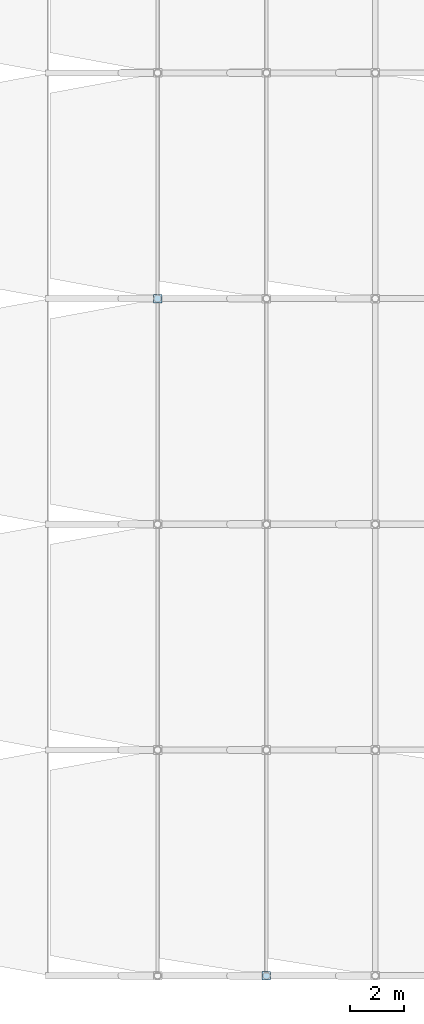
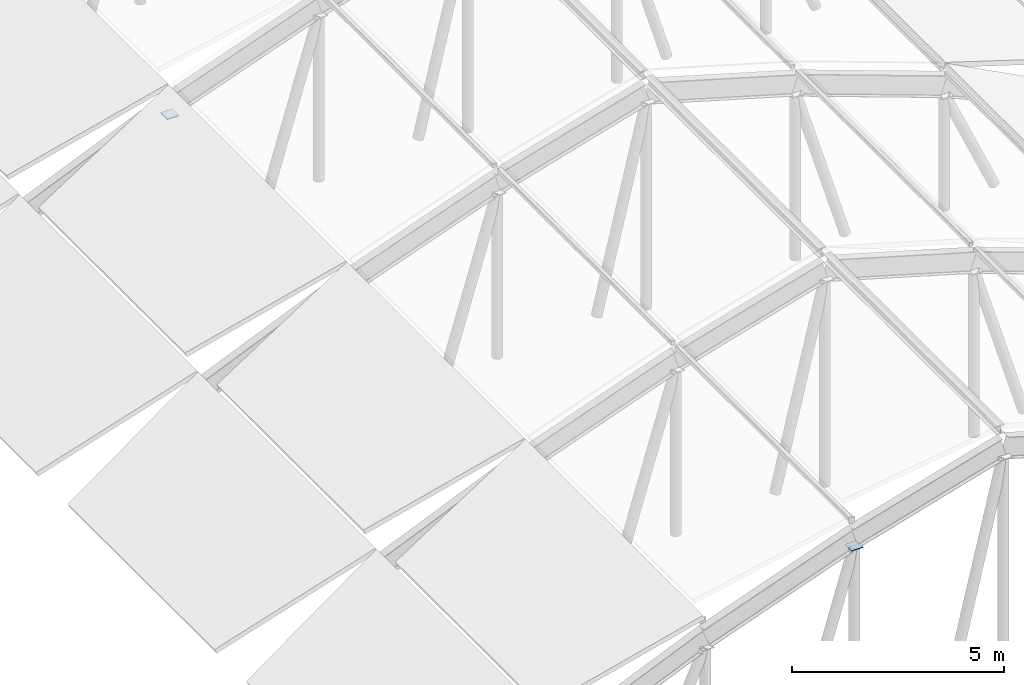
# One storey, part 15 of 22: 2 plates.
"""IFC4 building model written with IfcOpenShell, lengths in metres."""

from ifc_helpers import new_model, si_unit, direction, frame, origin, origin_2d, place, context, subcontext, project, spatial, rectangle, extrude, material, layer, layer_set, type_object, element, save


model = new_model("IFC4")

# Units and contexts
model_context = context("Model", 3, precision=1e-05, world=origin(), true_north=direction((0.0, 1.0)))
body_context = subcontext(model_context, "Body", "Model", "MODEL_VIEW")
ifc_project = project(units=[si_unit("LENGTHUNIT", "METRE"), si_unit("AREAUNIT", "SQUARE_METRE"), si_unit("VOLUMEUNIT", "CUBIC_METRE"), si_unit("PLANEANGLEUNIT", "RADIAN"), si_unit("MASSUNIT", "GRAM", prefix="KILO")], contexts=[model_context])

# Site, building, storey
site_placement = place(None, origin())
site = spatial("IfcSite", under=ifc_project, at=site_placement, CompositionType="ELEMENT")
building_placement = place(site_placement, origin())
building = spatial("IfcBuilding", under=site, at=building_placement, Name="Vireocrest Preparatory School", CompositionType="ELEMENT")
storey_placement = place(building_placement, frame((0.0, 0.0, 25.800048828125)))
storey = spatial("IfcBuildingStorey", under=building, at=storey_placement, Name="RF", CompositionType="ELEMENT", Elevation=25.800048828125)

# Plates
ifc_material = material(Name="Structural steel ASTM A572 Grade 50", Category="steel")
ifc_layer = layer(ifc_material, 0.02001953125)
ifc_layer_set = layer_set([ifc_layer], Name="Structural steel ASTM A572 Grade 50")
plate_type = type_object("IfcPlateType", Name="Hollow Section Steel End Cap Plate 20", PredefinedType="SHEET", material=ifc_layer_set)
for number, where, z_axis, x_axis, name in (
    (1, (75.75, 27.0, 2.10791015625), (0.0, 0.0, 1.0), (1.0, 0.0, 0.0), "Canopy Web Cap CP1-1-3T"),
    (2, (71.699951171875, 52.199951171875, 0.64794921875), (0.0, 0.0, 1.0), (1.0, 0.0, 0.0), "Canopy Web Cap CP1-4-2T"),
):
    element("IfcPlate", number, at=place(storey_placement, frame(where, z_axis=z_axis, x_axis=x_axis)), inside=storey, type_object=plate_type, Name=name, PredefinedType="SHEET", context=body_context, shape_type="SweptSolid", body=[
        extrude(rectangle(XDim=0.320068359375, YDim=0.320068359375, at=origin_2d()), origin(), (0.0, 0.0, 1.0), 0.02001953125),
    ])

save(model, "model.ifc")
